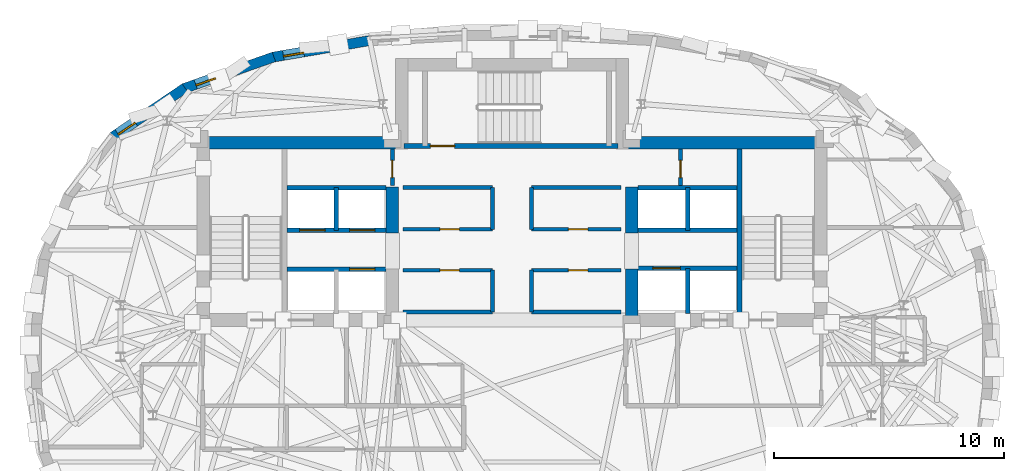
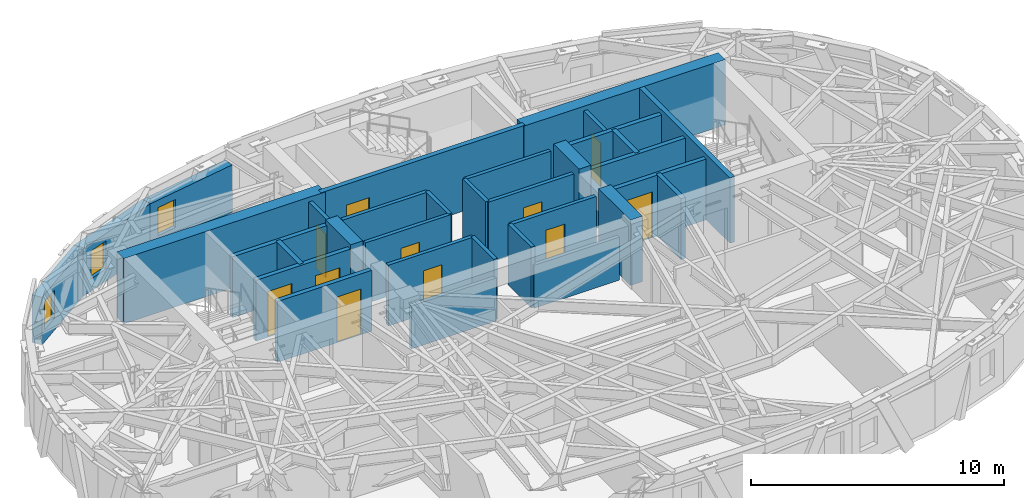
# One storey, part 7 of 12: 33 walls, 11 doors, 3 windows, 14 openings.
"""IFC4 building model written with IfcOpenShell, lengths in metres."""

import ifcopenshell
import ifcopenshell.guid

model = None  # the IFC model being written
_history = None  # IfcOwnerHistory: only IFC2X3 demands one
_inside = {}  # id of a spatial element -> (the spatial element, [elements in it])
_under = {}  # id of a project, library or spatial element -> (it, [spatial elements below it])
_declared = {}  # id of a project -> (the project, [libraries it declares])
_typed = {}  # id of a type object -> (the type object, [elements of that type])
_made_of = {}  # id of a material, layer set ... -> (it, [elements and type objects made of it])


def new_model(schema):
    """Start an empty IFC model of exactly this schema.

    Asked for "IFC4X3", IfcOpenShell would pick the latest addendum, in which some entities
    have other attributes; the version numbers below select the first issue.
    IFC2X3 requires an IfcOwnerHistory on every rooted entity: one is made here for all.
    """
    global model, _history
    if schema == "IFC4X3":
        model = ifcopenshell.file(schema_version=(4, 3, 0, 0))
    else:
        model = ifcopenshell.file(schema=schema)
    _inside.clear()
    _under.clear()
    _declared.clear()
    _typed.clear()
    _made_of.clear()
    _history = None
    if model.schema == "IFC2X3":
        org = make("IfcOrganization", Name="unknown")
        user = make(
            "IfcPersonAndOrganization",
            ThePerson=make("IfcPerson", FamilyName="unknown"),
            TheOrganization=org,
        )
        app = make(
            "IfcApplication",
            ApplicationDeveloper=org,
            Version="unknown",
            ApplicationFullName="unknown",
            ApplicationIdentifier="unknown",
        )
        _history = make(
            "IfcOwnerHistory",
            OwningUser=user,
            OwningApplication=app,
            ChangeAction="ADDED",
            CreationDate=0,
        )
    return model


def make(cls, **values):
    """One entity of the class cls with the attributes given. An attribute that is None is left unset."""
    return model.create_entity(
        cls, **{name: value for name, value in values.items() if value is not None}
    )


def rooted(cls, **values):
    """An entity with a GlobalId (a new one), such as an element, a storey or a relation."""
    return make(cls, GlobalId=ifcopenshell.guid.new(), OwnerHistory=_history, **values)


def si_unit(unit_type, name, prefix=None):
    """IfcSIUnit, for example si_unit("LENGTHUNIT", "METRE", prefix="MILLI")."""
    return make("IfcSIUnit", UnitType=unit_type, Prefix=prefix, Name=name)


def assignment(units):
    """IfcUnitAssignment: the units of a project."""
    return None if units is None else make("IfcUnitAssignment", Units=units)


def point(xyz):
    """IfcCartesianPoint."""
    return None if xyz is None else make("IfcCartesianPoint", Coordinates=xyz)


def direction(xyz):
    """IfcDirection."""
    return None if xyz is None else make("IfcDirection", DirectionRatios=xyz)


def frame(location, z_axis=None, x_axis=None):
    """IfcAxis2Placement3D, a coordinate frame: its origin and axes. An axis left out is left unset."""
    return make(
        "IfcAxis2Placement3D",
        Location=point(location),
        Axis=direction(z_axis),
        RefDirection=direction(x_axis),
    )


def frame_2d(location, x_axis=None):
    """IfcAxis2Placement2D, a coordinate frame in the plane: its origin and x axis."""
    return make(
        "IfcAxis2Placement2D", Location=point(location), RefDirection=direction(x_axis)
    )


def origin():
    """The frame at (0, 0, 0) with its axes left unset."""
    return frame((0.0, 0.0, 0.0))


def place(relative_to, where):
    """IfcLocalPlacement: puts the frame where relative to a parent placement (None: the world)."""
    return make(
        "IfcLocalPlacement", PlacementRelTo=relative_to, RelativePlacement=where
    )


def context(
    kind, dimensions, precision=None, world=None, true_north=None, identifier=None
):
    """IfcGeometricRepresentationContext, for example the 3D "Model" context."""
    return make(
        "IfcGeometricRepresentationContext",
        ContextIdentifier=identifier,
        ContextType=kind,
        CoordinateSpaceDimension=dimensions,
        Precision=precision,
        WorldCoordinateSystem=world,
        TrueNorth=true_north,
    )


def subcontext(parent, identifier, kind, view, scale=None):
    """IfcGeometricRepresentationSubContext, for example "Body" below "Model"."""
    return make(
        "IfcGeometricRepresentationSubContext",
        ContextIdentifier=identifier,
        ContextType=kind,
        ParentContext=parent,
        TargetScale=scale,
        TargetView=view,
    )


def project(units=None, contexts=None):
    """IfcProject with its units and contexts."""
    return rooted(
        "IfcProject",
        Name="project",
        RepresentationContexts=contexts,
        UnitsInContext=assignment(units),
    )


def spatial(cls, under=None, at=None, **own):
    """A site, building, storey or space (cls), placed at a placement, below another one or the project."""
    s = rooted(cls, ObjectPlacement=at, **own)
    if under is not None:
        _under.setdefault(under.id(), (under, []))[1].append(s)
    return s


def profile(cls, at=None, kind="AREA", **sizes):
    """A parametric profile (cls). Its sizes go by their IFC names, for example OverallWidth=200.0."""
    return make(cls, ProfileType=kind, Position=at, **sizes)


def rectangle(**sizes):
    """IfcRectangleProfileDef."""
    return profile("IfcRectangleProfileDef", **sizes)


def extrude(swept, where, along, depth):
    """IfcExtrudedAreaSolid: the profile swept, set in the frame where, extruded along a direction by depth."""
    return make(
        "IfcExtrudedAreaSolid",
        SweptArea=swept,
        Position=where,
        ExtrudedDirection=direction(along),
        Depth=depth,
    )


def shape(context_of_items, identifier, shape_type, items):
    """IfcShapeRepresentation: the items that make up one representation, for example the "Body"."""
    return make(
        "IfcShapeRepresentation",
        ContextOfItems=context_of_items,
        RepresentationIdentifier=identifier,
        RepresentationType=shape_type,
        Items=items,
    )


def material(Name=None, Category=None):
    """IfcMaterial."""
    return make("IfcMaterial", Name=Name, Category=Category)


def layer(
    of_material, thickness, ventilated=None, Name=None, Category=None, Priority=None
):
    """IfcMaterialLayer: one layer of a wall or slab, of a material (None: an air gap)."""
    return make(
        "IfcMaterialLayer",
        Material=of_material,
        LayerThickness=thickness,
        IsVentilated=ventilated,
        Name=Name,
        Category=Category,
        Priority=Priority,
    )


def layer_set(layers, Name=None):
    """IfcMaterialLayerSet."""
    return make("IfcMaterialLayerSet", MaterialLayers=layers, LayerSetName=Name)


def made_of(thing, what):
    """Note that an element or type object is made of a material, layer set ...; save() writes the relation."""
    if what is not None:
        _made_of.setdefault(what.id(), (what, []))[1].append(thing)
    return thing


def type_object(cls, material=None, **own):
    """A type object (cls), such as IfcWallType, which elements share."""
    return made_of(rooted(cls, **own), material)


def element(
    cls,
    number,
    at=None,
    inside=None,
    cuts=None,
    type_object=None,
    material=None,
    context=None,
    identifier="Body",
    shape_type=None,
    held_by="IfcProductDefinitionShape",
    body=None,
    shapes=None,
    **own,
):
    """One element of the class cls, such as IfcWall. Its Tag is "e" and its number.

    at: its placement. inside: the storey or other place that contains it. cuts: it is an
    opening in that element (IfcRelVoidsElement). A single representation is given by context,
    identifier, shape_type and body (its items); several are given by shapes. held_by: the class
    of the entity that holds the representations. save() writes the other relations.
    """
    e = rooted(cls, Tag="e%d" % number, ObjectPlacement=at, **own)
    if body is not None:
        shapes = [shape(context, identifier, shape_type, body)]
    if shapes is not None:
        e.Representation = make(held_by, Representations=shapes)
    if inside is not None:
        _inside.setdefault(inside.id(), (inside, []))[1].append(e)
    if cuts is not None:
        rooted(
            "IfcRelVoidsElement", RelatingBuildingElement=cuts, RelatedOpeningElement=e
        )
    if type_object is not None:
        _typed.setdefault(type_object.id(), (type_object, []))[1].append(e)
    return made_of(e, material)


def fill(opening, filler):
    """IfcRelFillsElement: the door or window that sits in an opening."""
    return rooted(
        "IfcRelFillsElement",
        RelatingOpeningElement=opening,
        RelatedBuildingElement=filler,
    )


def aggregate(whole, parts):
    """IfcRelAggregates: a whole, such as a stair, and the parts it consists of."""
    return rooted("IfcRelAggregates", RelatingObject=whole, RelatedObjects=parts)


def save(model, path):
    """Write the relations noted so far, then the file.

    IfcRelAggregates (storeys below a building ...), IfcRelContainedInSpatialStructure (elements
    in a storey), IfcRelDefinesByType, IfcRelAssociatesMaterial and IfcRelDeclares: one each for
    every whole, place, type object, material and project.
    """
    for whole, parts in _under.values():
        aggregate(whole, parts)
    for where, things in _inside.values():
        rooted(
            "IfcRelContainedInSpatialStructure",
            RelatedElements=things,
            RelatingStructure=where,
        )
    for kind, things in _typed.values():
        rooted("IfcRelDefinesByType", RelatedObjects=things, RelatingType=kind)
    for what, things in _made_of.values():
        rooted("IfcRelAssociatesMaterial", RelatedObjects=things, RelatingMaterial=what)
    for by, libraries in _declared.values():
        rooted("IfcRelDeclares", RelatingContext=by, RelatedDefinitions=libraries)
    model.write(path)


model = new_model("IFC4")

# Units and contexts
model_context = context("Model", 3, precision=1e-05, world=origin(), true_north=direction((0.0, 1.0)))
body_context = subcontext(model_context, "Body", "Model", "MODEL_VIEW")
ifc_project = project(units=[si_unit("LENGTHUNIT", "METRE"), si_unit("AREAUNIT", "SQUARE_METRE"), si_unit("VOLUMEUNIT", "CUBIC_METRE"), si_unit("PLANEANGLEUNIT", "RADIAN"), si_unit("MASSUNIT", "GRAM", prefix="KILO")], contexts=[model_context])

# Site, building, storey
site_placement = place(None, origin())
site = spatial("IfcSite", under=ifc_project, at=site_placement, CompositionType="ELEMENT")
building_placement = place(site_placement, origin())
building = spatial("IfcBuilding", under=site, at=building_placement, Name="Keldmark Tower", CompositionType="ELEMENT")
storey_placement = place(building_placement, frame((0.0, 0.0, 257.25)))
storey = spatial("IfcBuildingStorey", under=building, at=storey_placement, Name="L73", CompositionType="ELEMENT", Elevation=257.25)

# Walls
ifc_material_1 = material(Name="Concrete C50/60", Category="concrete")
ifc_layer_1 = layer(ifc_material_1, 0.550048828125)
ifc_layer_set_1 = layer_set([ifc_layer_1], Name="Concrete C50/60")
wall_type_1 = type_object("IfcWallType", Name="High-Rise Core Shear Wall 550 mm", PredefinedType="SHEAR", material=ifc_layer_set_1)
wall_1_placement = place(storey_placement, frame((-13.699951171875, 9.27490234375, 0.0), z_axis=(0.0, 0.0, 1.0), x_axis=(1.0, 0.0, 0.0)))
element("IfcWall", 1, at=wall_1_placement, inside=storey, type_object=wall_type_1, Name="L73 West Core North Shear Wall", PredefinedType="SHEAR", context=body_context, shape_type="SweptSolid", body=[
    extrude(rectangle(XDim=9.175048828125, YDim=0.550048828125, at=frame_2d((4.58740234375, 0.0))), origin(), (0.0, 0.0, 1.0), 3.14990234375),
])
wall_2_placement = place(storey_placement, frame((-5.199951171875, 5.35009765625, 0.0), z_axis=(0.0, 0.0, 1.0), x_axis=(0.0, 1.0, 0.0)))
element("IfcWall", 2, at=wall_2_placement, inside=storey, type_object=wall_type_1, Name="L73 West Core Inner Shear Pier North", PredefinedType="SHEAR", context=body_context, shape_type="SweptSolid", body=[
    extrude(rectangle(XDim=2.0, YDim=0.550048828125, at=frame_2d((1.0, 0.0))), origin(), (0.0, 0.0, 1.0), 3.14990234375),
])
wall_3_placement = place(storey_placement, frame((4.52490234375, 9.27490234375, 0.0), z_axis=(0.0, 0.0, 1.0), x_axis=(1.0, 0.0, 0.0)))
element("IfcWall", 3, at=wall_3_placement, inside=storey, type_object=wall_type_1, Name="L73 East Core North Shear Wall", PredefinedType="SHEAR", context=body_context, shape_type="SweptSolid", body=[
    extrude(rectangle(XDim=9.175048828125, YDim=0.550048828125, at=frame_2d((4.58740234375, 0.0))), origin(), (0.0, 0.0, 1.0), 3.14990234375),
])
wall_4_placement = place(storey_placement, frame((5.199951171875, 1.300048828125, 0.0), z_axis=(0.0, 0.0, 1.0), x_axis=(0.0, 1.0, 0.0)))
element("IfcWall", 4, at=wall_4_placement, inside=storey, type_object=wall_type_1, Name="L73 East Core Inner Shear Pier South", PredefinedType="SHEAR", context=body_context, shape_type="SweptSolid", body=[
    extrude(rectangle(XDim=2.5, YDim=0.550048828125, at=frame_2d((1.25, 0.0))), origin(), (0.0, 0.0, 1.0), 3.14990234375),
])
wall_5_placement = place(storey_placement, frame((5.199951171875, 5.35009765625, 0.0), z_axis=(0.0, 0.0, 1.0), x_axis=(0.0, 1.0, 0.0)))
element("IfcWall", 5, at=wall_5_placement, inside=storey, type_object=wall_type_1, Name="L73 East Core Inner Shear Pier North", PredefinedType="SHEAR", context=body_context, shape_type="SweptSolid", body=[
    extrude(rectangle(XDim=2.0, YDim=0.550048828125, at=frame_2d((1.0, 0.0))), origin(), (0.0, 0.0, 1.0), 3.14990234375),
])
ifc_material_2 = material(Name="Type X Fire-Rated Gypsum Partition Assembly", Category="gypsum")
ifc_layer_2 = layer(ifc_material_2, 0.1650390625)
ifc_layer_set_2 = layer_set([ifc_layer_2], Name="Type X Fire-Rated Gypsum Partition Assembly")
wall_type_2 = type_object("IfcWallType", Name="Rated Partition 165 mm", PredefinedType="PARTITIONING", material=ifc_layer_set_2)
wall_6_placement = place(storey_placement, frame((-4.739990234375, 1.919921875, 0.0), z_axis=(0.0, 0.0, 1.0), x_axis=(1.0, 0.0, 0.0)))
element("IfcWall", 6, at=wall_6_placement, inside=storey, type_object=wall_type_2, Name="L73 Rated Partition 165 mm REC-LW-S", PredefinedType="PARTITIONING", context=body_context, shape_type="SweptSolid", body=[
    extrude(rectangle(XDim=3.889892578125, YDim=0.1650390625, at=frame_2d((1.94482421875, 0.0))), origin(), (0.0, 0.0, 1.0), 2.070068359375),
])

# Wall, opening, door
wall_7_placement = place(storey_placement, frame((-4.739990234375, 3.739990234375, 0.0), z_axis=(0.0, 0.0, 1.0), x_axis=(1.0, 0.0, 0.0)))
wall_7 = element("IfcWall", 7, at=wall_7_placement, inside=storey, type_object=wall_type_2, Name="L73 Rated Partition 165 mm REC-LW-N", PredefinedType="PARTITIONING", context=body_context, shape_type="SweptSolid", body=[
    extrude(rectangle(XDim=3.889892578125, YDim=0.1650390625, at=frame_2d((1.94482421875, 0.0))), origin(), (0.0, 0.0, 1.0), 2.929931640625),
])
opening_1_placement = place(wall_7_placement, frame((1.60009765625, 0.0, 0.0)))
opening_1 = element("IfcOpeningElement", 8, at=opening_1_placement, cuts=wall_7, Name="Opening D-SV085", PredefinedType="OPENING", context=body_context, shape_type="SweptSolid", body=[
    extrude(rectangle(XDim=0.85009765625, YDim=2.10009765625, at=frame_2d((0.425048828125, 1.050048828125))), frame((0.0, 0.092529296875, 0.0), z_axis=(0.0, -1.0, 0.0), x_axis=(1.0, 0.0, 0.0)), (0.0, 0.0, 1.0), 0.18505859375),
])
ifc_material_3 = material(Name="Painted Hollow Metal Door Assembly", Category="metal")
door_type_1 = type_object("IfcDoorType", Name="Service Door 850x2100", OperationType="NOTDEFINED", PredefinedType="DOOR", material=ifc_material_3)
door_1_placement = place(opening_1_placement, origin())
door_1 = element("IfcDoor", 9, at=door_1_placement, inside=storey, type_object=door_type_1, Name="L73 Service Door 850x2100 D-RECLW1-L73", OperationType="SINGLE_SWING_LEFT", OverallHeight=2.10009765625, OverallWidth=0.85009765625, PredefinedType="DOOR", context=body_context, shape_type="SweptSolid", body=[
    extrude(rectangle(XDim=0.85009765625, YDim=2.10009765625, at=frame_2d((0.425048828125, 1.050048828125))), frame((0.0, 0.02490234375, 0.0), z_axis=(0.0, -1.0, 0.0), x_axis=(1.0, 0.0, 0.0)), (0.0, 0.0, 1.0), 0.050048828125),
])
fill(opening_1, door_1)

# Walls
wall_8_placement = place(storey_placement, frame((-0.85009765625, 1.919921875, 0.0), z_axis=(0.0, 0.0, 1.0), x_axis=(0.0, 1.0, 0.0)))
element("IfcWall", 10, at=wall_8_placement, inside=storey, type_object=wall_type_2, Name="L73 Rated Partition 165 mm REC-LW-E", PredefinedType="PARTITIONING", context=body_context, shape_type="SweptSolid", body=[
    extrude(rectangle(XDim=1.820068359375, YDim=0.1650390625, at=frame_2d((0.91015625, 0.0))), origin(), (0.0, 0.0, 1.0), 2.929931640625),
])
wall_9_placement = place(storey_placement, frame((0.85009765625, 1.919921875, 0.0), z_axis=(0.0, 0.0, 1.0), x_axis=(1.0, 0.0, 0.0)))
element("IfcWall", 11, at=wall_9_placement, inside=storey, type_object=wall_type_2, Name="L73 Rated Partition 165 mm REC-LE-S", PredefinedType="PARTITIONING", context=body_context, shape_type="SweptSolid", body=[
    extrude(rectangle(XDim=3.889892578125, YDim=0.1650390625, at=frame_2d((1.94482421875, 0.0))), origin(), (0.0, 0.0, 1.0), 2.070068359375),
])

# Wall, opening, door
wall_10_placement = place(storey_placement, frame((0.85009765625, 3.739990234375, 0.0), z_axis=(0.0, 0.0, 1.0), x_axis=(1.0, 0.0, 0.0)))
wall_10 = element("IfcWall", 12, at=wall_10_placement, inside=storey, type_object=wall_type_2, Name="L73 Rated Partition 165 mm REC-LE-N", PredefinedType="PARTITIONING", context=body_context, shape_type="SweptSolid", body=[
    extrude(rectangle(XDim=3.889892578125, YDim=0.1650390625, at=frame_2d((1.94482421875, 0.0))), origin(), (0.0, 0.0, 1.0), 2.929931640625),
])
opening_2_placement = place(wall_10_placement, frame((1.60009765625, 0.0, 0.0)))
opening_2 = element("IfcOpeningElement", 13, at=opening_2_placement, cuts=wall_10, Name="Opening D-SV085", PredefinedType="OPENING", context=body_context, shape_type="SweptSolid", body=[
    extrude(rectangle(XDim=0.85009765625, YDim=2.10009765625, at=frame_2d((0.425048828125, 1.050048828125))), frame((0.0, 0.092529296875, 0.0), z_axis=(0.0, -1.0, 0.0), x_axis=(1.0, 0.0, 0.0)), (0.0, 0.0, 1.0), 0.18505859375),
])
door_2_placement = place(opening_2_placement, origin())
door_2 = element("IfcDoor", 14, at=door_2_placement, inside=storey, type_object=door_type_1, Name="L73 Service Door 850x2100 D-RECLE1-L73", OperationType="SINGLE_SWING_RIGHT", OverallHeight=2.10009765625, OverallWidth=0.85009765625, PredefinedType="DOOR", context=body_context, shape_type="SweptSolid", body=[
    extrude(rectangle(XDim=0.85009765625, YDim=2.10009765625, at=frame_2d((0.425048828125, 1.050048828125))), frame((0.0, 0.02490234375, 0.0), z_axis=(0.0, -1.0, 0.0), x_axis=(1.0, 0.0, 0.0)), (0.0, 0.0, 1.0), 0.050048828125),
])
fill(opening_2, door_2)

# Wall
wall_11_placement = place(storey_placement, frame((0.85009765625, 1.919921875, 0.0), z_axis=(0.0, 0.0, 1.0), x_axis=(0.0, 1.0, 0.0)))
element("IfcWall", 15, at=wall_11_placement, inside=storey, type_object=wall_type_2, Name="L73 Rated Partition 165 mm REC-LE-W", PredefinedType="PARTITIONING", context=body_context, shape_type="SweptSolid", body=[
    extrude(rectangle(XDim=1.820068359375, YDim=0.1650390625, at=frame_2d((0.91015625, 0.0))), origin(), (0.0, 0.0, 1.0), 2.929931640625),
])

# Wall, opening, door
wall_12_placement = place(storey_placement, frame((-4.739990234375, 5.52001953125, 0.0), z_axis=(0.0, 0.0, 1.0), x_axis=(1.0, 0.0, 0.0)))
wall_12 = element("IfcWall", 16, at=wall_12_placement, inside=storey, type_object=wall_type_2, Name="L73 Rated Partition 165 mm REC-MW-S", PredefinedType="PARTITIONING", context=body_context, shape_type="SweptSolid", body=[
    extrude(rectangle(XDim=3.889892578125, YDim=0.1650390625, at=frame_2d((1.94482421875, 0.0))), origin(), (0.0, 0.0, 1.0), 2.929931640625),
])
opening_3_placement = place(wall_12_placement, frame((1.60009765625, 0.0, 0.0)))
opening_3 = element("IfcOpeningElement", 17, at=opening_3_placement, cuts=wall_12, Name="Opening D-SV085", PredefinedType="OPENING", context=body_context, shape_type="SweptSolid", body=[
    extrude(rectangle(XDim=0.85009765625, YDim=2.10009765625, at=frame_2d((0.425048828125, 1.050048828125))), frame((0.0, 0.092529296875, 0.0), z_axis=(0.0, -1.0, 0.0), x_axis=(1.0, 0.0, 0.0)), (0.0, 0.0, 1.0), 0.18505859375),
])
door_3_placement = place(opening_3_placement, origin())
door_3 = element("IfcDoor", 18, at=door_3_placement, inside=storey, type_object=door_type_1, Name="L73 Service Door 850x2100 D-RECMW1-L73", OperationType="SINGLE_SWING_LEFT", OverallHeight=2.10009765625, OverallWidth=0.85009765625, PredefinedType="DOOR", context=body_context, shape_type="SweptSolid", body=[
    extrude(rectangle(XDim=0.85009765625, YDim=2.10009765625, at=frame_2d((0.425048828125, 1.050048828125))), frame((0.0, 0.02490234375, 0.0), z_axis=(0.0, -1.0, 0.0), x_axis=(1.0, 0.0, 0.0)), (0.0, 0.0, 1.0), 0.050048828125),
])
fill(opening_3, door_3)

# Walls
wall_13_placement = place(storey_placement, frame((-4.739990234375, 7.330078125, 0.0), z_axis=(0.0, 0.0, 1.0), x_axis=(1.0, 0.0, 0.0)))
element("IfcWall", 19, at=wall_13_placement, inside=storey, type_object=wall_type_2, Name="L73 Rated Partition 165 mm REC-MW-N", PredefinedType="PARTITIONING", context=body_context, shape_type="SweptSolid", body=[
    extrude(rectangle(XDim=3.889892578125, YDim=0.1650390625, at=frame_2d((1.94482421875, 0.0))), origin(), (0.0, 0.0, 1.0), 2.929931640625),
])
wall_14_placement = place(storey_placement, frame((-0.85009765625, 5.52001953125, 0.0), z_axis=(0.0, 0.0, 1.0), x_axis=(0.0, 1.0, 0.0)))
element("IfcWall", 20, at=wall_14_placement, inside=storey, type_object=wall_type_2, Name="L73 Rated Partition 165 mm REC-MW-E", PredefinedType="PARTITIONING", context=body_context, shape_type="SweptSolid", body=[
    extrude(rectangle(XDim=1.81005859375, YDim=0.1650390625, at=frame_2d((0.905029296875, 0.0))), origin(), (0.0, 0.0, 1.0), 2.929931640625),
])

# Wall, opening, door
wall_15_placement = place(storey_placement, frame((0.85009765625, 5.52001953125, 0.0), z_axis=(0.0, 0.0, 1.0), x_axis=(1.0, 0.0, 0.0)))
wall_15 = element("IfcWall", 21, at=wall_15_placement, inside=storey, type_object=wall_type_2, Name="L73 Rated Partition 165 mm REC-ME-S", PredefinedType="PARTITIONING", context=body_context, shape_type="SweptSolid", body=[
    extrude(rectangle(XDim=3.889892578125, YDim=0.1650390625, at=frame_2d((1.94482421875, 0.0))), origin(), (0.0, 0.0, 1.0), 2.929931640625),
])
opening_4_placement = place(wall_15_placement, frame((1.60009765625, 0.0, 0.0)))
opening_4 = element("IfcOpeningElement", 22, at=opening_4_placement, cuts=wall_15, Name="Opening D-SV085", PredefinedType="OPENING", context=body_context, shape_type="SweptSolid", body=[
    extrude(rectangle(XDim=0.85009765625, YDim=2.10009765625, at=frame_2d((0.425048828125, 1.050048828125))), frame((0.0, 0.092529296875, 0.0), z_axis=(0.0, -1.0, 0.0), x_axis=(1.0, 0.0, 0.0)), (0.0, 0.0, 1.0), 0.18505859375),
])
door_4_placement = place(opening_4_placement, origin())
door_4 = element("IfcDoor", 23, at=door_4_placement, inside=storey, type_object=door_type_1, Name="L73 Service Door 850x2100 D-RECME1-L73", OperationType="SINGLE_SWING_RIGHT", OverallHeight=2.10009765625, OverallWidth=0.85009765625, PredefinedType="DOOR", context=body_context, shape_type="SweptSolid", body=[
    extrude(rectangle(XDim=0.85009765625, YDim=2.10009765625, at=frame_2d((0.425048828125, 1.050048828125))), frame((0.0, 0.02490234375, 0.0), z_axis=(0.0, -1.0, 0.0), x_axis=(1.0, 0.0, 0.0)), (0.0, 0.0, 1.0), 0.050048828125),
])
fill(opening_4, door_4)

# Walls
wall_16_placement = place(storey_placement, frame((0.85009765625, 7.330078125, 0.0), z_axis=(0.0, 0.0, 1.0), x_axis=(1.0, 0.0, 0.0)))
element("IfcWall", 24, at=wall_16_placement, inside=storey, type_object=wall_type_2, Name="L73 Rated Partition 165 mm REC-ME-N", PredefinedType="PARTITIONING", context=body_context, shape_type="SweptSolid", body=[
    extrude(rectangle(XDim=3.889892578125, YDim=0.1650390625, at=frame_2d((1.94482421875, 0.0))), origin(), (0.0, 0.0, 1.0), 2.929931640625),
])
wall_17_placement = place(storey_placement, frame((0.85009765625, 5.52001953125, 0.0), z_axis=(0.0, 0.0, 1.0), x_axis=(0.0, 1.0, 0.0)))
element("IfcWall", 25, at=wall_17_placement, inside=storey, type_object=wall_type_2, Name="L73 Rated Partition 165 mm REC-ME-W", PredefinedType="PARTITIONING", context=body_context, shape_type="SweptSolid", body=[
    extrude(rectangle(XDim=1.81005859375, YDim=0.1650390625, at=frame_2d((0.905029296875, 0.0))), origin(), (0.0, 0.0, 1.0), 2.929931640625),
])

# Wall, opening, door
wall_18_placement = place(storey_placement, frame((-5.199951171875, 7.419921875, 0.0), z_axis=(0.0, 0.0, 1.0), x_axis=(0.0, 1.0, 0.0)))
wall_18 = element("IfcWall", 26, at=wall_18_placement, inside=storey, type_object=wall_type_2, Name="L73 Rated Partition 165 mm CS-NW-E", PredefinedType="PARTITIONING", context=body_context, shape_type="SweptSolid", body=[
    extrude(rectangle(XDim=1.580078125, YDim=0.1650390625, at=frame_2d((0.7900390625, 0.0))), origin(), (0.0, 0.0, 1.0), 2.929931640625),
])
opening_5_placement = place(wall_18_placement, frame((0.35009765625, 0.0, 0.0)))
opening_5 = element("IfcOpeningElement", 27, at=opening_5_placement, cuts=wall_18, Name="Opening D-RS075", PredefinedType="OPENING", context=body_context, shape_type="SweptSolid", body=[
    extrude(rectangle(XDim=0.75, YDim=2.10009765625, at=frame_2d((0.375, 1.050048828125))), frame((0.0, 0.092529296875, 0.0), z_axis=(0.0, -1.0, 0.0), x_axis=(1.0, 0.0, 0.0)), (0.0, 0.0, 1.0), 0.18505859375),
])
ifc_material_4 = material(Name="Galvanized Fire-Rated Access Leaf", Category="metal")
door_type_2 = type_object("IfcDoorType", Name="Riser Access Door 750x2100", OperationType="NOTDEFINED", PredefinedType="DOOR", material=ifc_material_4)
door_5_placement = place(opening_5_placement, origin())
door_5 = element("IfcDoor", 28, at=door_5_placement, inside=storey, type_object=door_type_2, Name="L73 Riser Access Door 750x2100 D-CSNW1-L73", OperationType="SINGLE_SWING_LEFT", OverallHeight=2.10009765625, OverallWidth=0.75, PredefinedType="DOOR", context=body_context, shape_type="SweptSolid", body=[
    extrude(rectangle(XDim=0.75, YDim=2.10009765625, at=frame_2d((0.375, 1.050048828125))), frame((0.0, 0.02490234375, 0.0), z_axis=(0.0, -1.0, 0.0), x_axis=(1.0, 0.0, 0.0)), (0.0, 0.0, 1.0), 0.050048828125),
])
fill(opening_5, door_5)

wall_19_placement = place(storey_placement, frame((7.330078125, 7.419921875, 0.0), z_axis=(0.0, 0.0, 1.0), x_axis=(0.0, 1.0, 0.0)))
wall_19 = element("IfcWall", 29, at=wall_19_placement, inside=storey, type_object=wall_type_2, Name="L73 Rated Partition 165 mm CS-NE-W", PredefinedType="PARTITIONING", context=body_context, shape_type="SweptSolid", body=[
    extrude(rectangle(XDim=1.580078125, YDim=0.1650390625, at=frame_2d((0.7900390625, 0.0))), origin(), (0.0, 0.0, 1.0), 2.929931640625),
])
opening_6_placement = place(wall_19_placement, frame((0.35009765625, 0.0, 0.0)))
opening_6 = element("IfcOpeningElement", 30, at=opening_6_placement, cuts=wall_19, Name="Opening D-RS075", PredefinedType="OPENING", context=body_context, shape_type="SweptSolid", body=[
    extrude(rectangle(XDim=0.75, YDim=2.10009765625, at=frame_2d((0.375, 1.050048828125))), frame((0.0, 0.092529296875, 0.0), z_axis=(0.0, -1.0, 0.0), x_axis=(1.0, 0.0, 0.0)), (0.0, 0.0, 1.0), 0.18505859375),
])
door_6_placement = place(opening_6_placement, origin())
door_6 = element("IfcDoor", 31, at=door_6_placement, inside=storey, type_object=door_type_2, Name="L73 Riser Access Door 750x2100 D-CSNE1-L73", OperationType="SINGLE_SWING_RIGHT", OverallHeight=2.10009765625, OverallWidth=0.75, PredefinedType="DOOR", context=body_context, shape_type="SweptSolid", body=[
    extrude(rectangle(XDim=0.75, YDim=2.10009765625, at=frame_2d((0.375, 1.050048828125))), frame((0.0, 0.02490234375, 0.0), z_axis=(0.0, -1.0, 0.0), x_axis=(1.0, 0.0, 0.0)), (0.0, 0.0, 1.0), 0.050048828125),
])
fill(opening_6, door_6)

ifc_material_5 = material(Name="Fire-Resistant Type X Gypsum Shaftliner Coreboard", Category="gypsum")
ifc_layer_3 = layer(ifc_material_5, 0.199951171875)
ifc_layer_set_3 = layer_set([ifc_layer_3], Name="Fire-Resistant Type X Gypsum Shaftliner Coreboard")
wall_type_3 = type_object("IfcWallType", Name="Shaft Wall 200 mm", PredefinedType="SOLIDWALL", material=ifc_layer_set_3)
wall_20_placement = place(storey_placement, frame((-9.780029296875, 3.780029296875, 0.0), z_axis=(0.0, 0.0, 1.0), x_axis=(1.0, 0.0, 0.0)))
wall_20 = element("IfcWall", 32, at=wall_20_placement, inside=storey, type_object=wall_type_3, Name="L73 Shaft Wall 200 mm HW-W-S", PredefinedType="SOLIDWALL", context=body_context, shape_type="SweptSolid", body=[
    extrude(rectangle(XDim=4.304931640625, YDim=0.199951171875, at=frame_2d((2.15234375, 0.0))), origin(), (0.0, 0.0, 1.0), 2.929931640625),
])
opening_7_placement = place(wall_20_placement, frame((2.719970703125, 0.0, 0.0)))
opening_7 = element("IfcOpeningElement", 33, at=opening_7_placement, cuts=wall_20, Name="Opening LD-110", PredefinedType="OPENING", context=body_context, shape_type="SweptSolid", body=[
    extrude(rectangle(XDim=1.10009765625, YDim=2.199951171875, at=frame_2d((0.550048828125, 1.10009765625))), frame((0.0, 0.10986328125, 0.0), z_axis=(0.0, -1.0, 0.0), x_axis=(1.0, 0.0, 0.0)), (0.0, 0.0, 1.0), 0.219970703125),
])
ifc_material_6 = material(Name="Brushed Bronze Hoistway Sliding Leaf", Category="metal")
door_type_3 = type_object("IfcDoorType", Name="Lift Landing Sliding Door 1100x2200", OperationType="SLIDING_TO_LEFT", PredefinedType="DOOR", material=ifc_material_6)
door_7_placement = place(opening_7_placement, origin())
door_7 = element("IfcDoor", 34, at=door_7_placement, inside=storey, type_object=door_type_3, Name="L73 Lift Landing Sliding Door 1100x2200 LD-EL-H3-L73", OperationType="SLIDING_TO_LEFT", OverallHeight=2.199951171875, OverallWidth=1.10009765625, PredefinedType="DOOR", context=body_context, shape_type="SweptSolid", body=[
    extrude(rectangle(XDim=1.10009765625, YDim=2.199951171875, at=frame_2d((0.550048828125, 1.10009765625))), frame((0.0, 0.02490234375, 0.0), z_axis=(0.0, -1.0, 0.0), x_axis=(1.0, 0.0, 0.0)), (0.0, 0.0, 1.0), 0.050048828125),
])
fill(opening_7, door_7)

# Wall, openings, doors
wall_21_placement = place(storey_placement, frame((-9.780029296875, 5.469970703125, 0.0), z_axis=(0.0, 0.0, 1.0), x_axis=(1.0, 0.0, 0.0)))
wall_21 = element("IfcWall", 35, at=wall_21_placement, inside=storey, type_object=wall_type_3, Name="L73 Shaft Wall 200 mm HW-W-N", PredefinedType="SOLIDWALL", context=body_context, shape_type="SweptSolid", body=[
    extrude(rectangle(XDim=4.304931640625, YDim=0.199951171875, at=frame_2d((2.15234375, 0.0))), origin(), (0.0, 0.0, 1.0), 2.929931640625),
])
opening_8_placement = place(wall_21_placement, frame((0.550048828125, 0.0, 0.0)))
opening_8 = element("IfcOpeningElement", 36, at=opening_8_placement, cuts=wall_21, Name="Opening LD-110", PredefinedType="OPENING", context=body_context, shape_type="SweptSolid", body=[
    extrude(rectangle(XDim=1.10009765625, YDim=2.199951171875, at=frame_2d((0.550048828125, 1.10009765625))), frame((0.0, 0.10986328125, 0.0), z_axis=(0.0, -1.0, 0.0), x_axis=(1.0, 0.0, 0.0)), (0.0, 0.0, 1.0), 0.219970703125),
])
opening_9_placement = place(wall_21_placement, frame((2.719970703125, 0.0, 0.0)))
opening_9 = element("IfcOpeningElement", 37, at=opening_9_placement, cuts=wall_21, Name="Opening LD-110", PredefinedType="OPENING", context=body_context, shape_type="SweptSolid", body=[
    extrude(rectangle(XDim=1.10009765625, YDim=2.199951171875, at=frame_2d((0.550048828125, 1.10009765625))), frame((0.0, 0.10986328125, 0.0), z_axis=(0.0, -1.0, 0.0), x_axis=(1.0, 0.0, 0.0)), (0.0, 0.0, 1.0), 0.219970703125),
])
door_8_placement = place(opening_8_placement, origin())
door_8 = element("IfcDoor", 38, at=door_8_placement, inside=storey, type_object=door_type_3, Name="L73 Lift Landing Sliding Door 1100x2200 LD-EL-H1-L73", OperationType="SLIDING_TO_LEFT", OverallHeight=2.199951171875, OverallWidth=1.10009765625, PredefinedType="DOOR", context=body_context, shape_type="SweptSolid", body=[
    extrude(rectangle(XDim=1.10009765625, YDim=2.199951171875, at=frame_2d((0.550048828125, 1.10009765625))), frame((0.0, 0.02490234375, 0.0), z_axis=(0.0, -1.0, 0.0), x_axis=(1.0, 0.0, 0.0)), (0.0, 0.0, 1.0), 0.050048828125),
])
fill(opening_8, door_8)
door_9_placement = place(opening_9_placement, origin())
door_9 = element("IfcDoor", 39, at=door_9_placement, inside=storey, type_object=door_type_3, Name="L73 Lift Landing Sliding Door 1100x2200 LD-EL-H2-L73", OperationType="SLIDING_TO_LEFT", OverallHeight=2.199951171875, OverallWidth=1.10009765625, PredefinedType="DOOR", context=body_context, shape_type="SweptSolid", body=[
    extrude(rectangle(XDim=1.10009765625, YDim=2.199951171875, at=frame_2d((0.550048828125, 1.10009765625))), frame((0.0, 0.02490234375, 0.0), z_axis=(0.0, -1.0, 0.0), x_axis=(1.0, 0.0, 0.0)), (0.0, 0.0, 1.0), 0.050048828125),
])
fill(opening_9, door_9)

# Walls
wall_22_placement = place(storey_placement, frame((-9.780029296875, 7.330078125, 0.0), z_axis=(0.0, 0.0, 1.0), x_axis=(1.0, 0.0, 0.0)))
element("IfcWall", 40, at=wall_22_placement, inside=storey, type_object=wall_type_3, Name="L73 Shaft Wall 200 mm HW-W-TOP", PredefinedType="SOLIDWALL", context=body_context, shape_type="SweptSolid", body=[
    extrude(rectangle(XDim=4.304931640625, YDim=0.199951171875, at=frame_2d((2.15234375, 0.0))), origin(), (0.0, 0.0, 1.0), 2.929931640625),
])
wall_23_placement = place(storey_placement, frame((-7.64990234375, 5.469970703125, 0.0), z_axis=(0.0, 0.0, 1.0), x_axis=(0.0, 1.0, 0.0)))
element("IfcWall", 41, at=wall_23_placement, inside=storey, type_object=wall_type_3, Name="L73 Shaft Wall 200 mm HW-W-NM", PredefinedType="SOLIDWALL", context=body_context, shape_type="SweptSolid", body=[
    extrude(rectangle(XDim=1.860107421875, YDim=0.199951171875, at=frame_2d((0.93017578125, 0.0))), origin(), (0.0, 0.0, 1.0), 2.929931640625),
])

# Wall, opening, door
wall_24_placement = place(storey_placement, frame((5.47509765625, 3.820068359375, 0.0), z_axis=(0.0, 0.0, 1.0), x_axis=(1.0, 0.0, 0.0)))
wall_24 = element("IfcWall", 42, at=wall_24_placement, inside=storey, type_object=wall_type_3, Name="L73 Shaft Wall 200 mm HW-E-S", PredefinedType="SOLIDWALL", context=body_context, shape_type="SweptSolid", body=[
    extrude(rectangle(XDim=4.304931640625, YDim=0.199951171875, at=frame_2d((2.15234375, 0.0))), origin(), (0.0, 0.0, 1.0), 2.929931640625),
])
opening_10_placement = place(wall_24_placement, frame((0.64990234375, 0.0, 0.0)))
opening_10 = element("IfcOpeningElement", 43, at=opening_10_placement, cuts=wall_24, Name="Opening LD-120", PredefinedType="OPENING", context=body_context, shape_type="SweptSolid", body=[
    extrude(rectangle(XDim=1.199951171875, YDim=2.199951171875, at=frame_2d((0.60009765625, 1.10009765625))), frame((0.0, 0.10986328125, 0.0), z_axis=(0.0, -1.0, 0.0), x_axis=(1.0, 0.0, 0.0)), (0.0, 0.0, 1.0), 0.219970703125),
])
ifc_material_7 = material(Name="Heavy-Duty Brushed Metal Hoistway Sliding Leaf", Category="metal")
door_type_4 = type_object("IfcDoorType", Name="Service Lift Sliding Door 1200x2200", OperationType="SLIDING_TO_RIGHT", PredefinedType="DOOR", material=ifc_material_7)
door_10_placement = place(opening_10_placement, origin())
door_10 = element("IfcDoor", 44, at=door_10_placement, inside=storey, type_object=door_type_4, Name="L73 Service Lift Sliding Door 1200x2200 LD-EL-SV1-L73", OperationType="SLIDING_TO_RIGHT", OverallHeight=2.199951171875, OverallWidth=1.199951171875, PredefinedType="DOOR", context=body_context, shape_type="SweptSolid", body=[
    extrude(rectangle(XDim=1.199951171875, YDim=2.199951171875, at=frame_2d((0.60009765625, 1.10009765625))), frame((0.0, 0.02490234375, 0.0), z_axis=(0.0, -1.0, 0.0), x_axis=(1.0, 0.0, 0.0)), (0.0, 0.0, 1.0), 0.050048828125),
])
fill(opening_10, door_10)

# Walls
wall_25_placement = place(storey_placement, frame((7.64990234375, 1.85009765625, 0.0), z_axis=(0.0, 0.0, 1.0), x_axis=(0.0, 1.0, 0.0)))
element("IfcWall", 45, at=wall_25_placement, inside=storey, type_object=wall_type_3, Name="L73 Shaft Wall 200 mm HW-E-M", PredefinedType="SOLIDWALL", context=body_context, shape_type="SweptSolid", body=[
    extrude(rectangle(XDim=1.969970703125, YDim=0.199951171875, at=frame_2d((0.98486328125, 0.0))), origin(), (0.0, 0.0, 1.0), 2.929931640625),
])
for number, where, z_axis, x_axis, name in (
    (46, (5.47509765625, 5.469970703125, 0.0), (0.0, 0.0, 1.0), (1.0, 0.0, 0.0), "L73 Shaft Wall 200 mm HW-E-N"),
    (47, (5.47509765625, 7.330078125, 0.0), (0.0, 0.0, 1.0), (1.0, 0.0, 0.0), "L73 Shaft Wall 200 mm HW-E-TOP"),
):
    element("IfcWall", number, at=place(storey_placement, frame(where, z_axis=z_axis, x_axis=x_axis)), inside=storey, type_object=wall_type_3, Name=name, PredefinedType="SOLIDWALL", context=body_context, shape_type="SweptSolid", body=[
        extrude(rectangle(XDim=4.304931640625, YDim=0.199951171875, at=frame_2d((2.15234375, 0.0))), origin(), (0.0, 0.0, 1.0), 2.929931640625),
    ])
wall_26_placement = place(storey_placement, frame((7.64990234375, 5.469970703125, 0.0), z_axis=(0.0, 0.0, 1.0), x_axis=(0.0, 1.0, 0.0)))
element("IfcWall", 48, at=wall_26_placement, inside=storey, type_object=wall_type_3, Name="L73 Shaft Wall 200 mm HW-E-NM", PredefinedType="SOLIDWALL", context=body_context, shape_type="SweptSolid", body=[
    extrude(rectangle(XDim=1.860107421875, YDim=0.199951171875, at=frame_2d((0.93017578125, 0.0))), origin(), (0.0, 0.0, 1.0), 2.929931640625),
])
ifc_material_8 = material(Name="Concrete C50/60", Category="concrete")
ifc_layer_4 = layer(ifc_material_8, 0.219970703125)
ifc_layer_set_4 = layer_set([ifc_layer_4], Name="Concrete C50/60")
wall_type_4 = type_object("IfcWallType", Name="Stair Core Shear Wall 220 mm", PredefinedType="SHEAR", material=ifc_layer_set_4)
wall_27_placement = place(storey_placement, frame((9.889892578125, 1.85009765625, 0.0), z_axis=(0.0, 0.0, 1.0), x_axis=(0.0, 1.0, 0.0)))
element("IfcWall", 49, at=wall_27_placement, inside=storey, type_object=wall_type_4, Name="L73 East Stair Core Shear Wall", PredefinedType="SHEAR", context=body_context, shape_type="SweptSolid", body=[
    extrude(rectangle(XDim=7.14990234375, YDim=0.219970703125, at=frame_2d((3.574951171875, 0.0))), origin(), (0.0, 0.0, 1.0), 3.14990234375),
])

# Wall, opening, door
wall_28_placement = place(storey_placement, frame((-4.699951171875, 9.139892578125, 0.0), z_axis=(0.0, 0.0, 1.0), x_axis=(1.0, 0.0, 0.0)))
wall_28 = element("IfcWall", 50, at=wall_28_placement, inside=storey, type_object=wall_type_4, Name="L73 Central Stair Core South Shear Wall", PredefinedType="SHEAR", context=body_context, shape_type="SweptSolid", body=[
    extrude(rectangle(XDim=9.300048828125, YDim=0.219970703125, at=frame_2d((4.64990234375, 0.0))), origin(), (0.0, 0.0, 1.0), 3.14990234375),
])
opening_11_placement = place(wall_28_placement, frame((1.14990234375, 0.0, 0.0)))
opening_11 = element("IfcOpeningElement", 51, at=opening_11_placement, cuts=wall_28, Name="Opening D-ST105", PredefinedType="OPENING", context=body_context, shape_type="SweptSolid", body=[
    extrude(rectangle(XDim=1.050048828125, YDim=2.14990234375, at=frame_2d((0.52490234375, 1.074951171875))), frame((0.0, 0.119873046875, 0.0), z_axis=(0.0, -1.0, 0.0), x_axis=(1.0, 0.0, 0.0)), (0.0, 0.0, 1.0), 0.239990234375),
])
ifc_material_9 = material(Name="Hollow Metal Fire-Rated Door Assembly", Category="metal")
door_type_5 = type_object("IfcDoorType", Name="Stair Fire Door 1050x2150", OperationType="NOTDEFINED", PredefinedType="DOOR", material=ifc_material_9)
door_11_placement = place(opening_11_placement, origin())
door_11 = element("IfcDoor", 52, at=door_11_placement, inside=storey, type_object=door_type_5, Name="L73 Stair Fire Door 1050x2150 D-ST3-L73", OperationType="SINGLE_SWING_LEFT", OverallHeight=2.14990234375, OverallWidth=1.050048828125, PredefinedType="DOOR", context=body_context, shape_type="SweptSolid", body=[
    extrude(rectangle(XDim=1.050048828125, YDim=2.14990234375, at=frame_2d((0.52490234375, 1.074951171875))), frame((0.0, 0.02490234375, 0.0), z_axis=(0.0, -1.0, 0.0), x_axis=(1.0, 0.0, 0.0)), (0.0, 0.0, 1.0), 0.050048828125),
])
fill(opening_11, door_11)

# Wall, opening, window
ifc_material_10 = material(Name="Ironspot Manganese Brick and Kasota Buff Limestone Spandrel Assembly", Category="masonry")
ifc_layer_5 = layer(ifc_material_10, 0.43994140625)
ifc_layer_set_5 = layer_set([ifc_layer_5], Name="Ironspot Manganese Brick and Kasota Buff Limestone Spandrel Assembly")
wall_type_5 = type_object("IfcWallType", Name="Tower Brick Pier and Spandrel Wall 440 mm", PredefinedType="STANDARD", material=ifc_layer_set_5)
wall_29_placement = place(storey_placement, frame((-10.3876953125, 13.006103515625, 0.0), z_axis=(0.0, 0.0, 1.0), x_axis=(0.985667057966, 0.168702254995, 0.0)))
wall_29 = element("IfcWall", 53, at=wall_29_placement, inside=storey, type_object=wall_type_5, Name="L73 Exterior Brick and Spandrel Wall 10", PredefinedType="STANDARD", context=body_context, shape_type="SweptSolid", body=[
    extrude(rectangle(XDim=4.248779296875, YDim=0.43994140625, at=frame_2d((2.12451171875, 0.0))), origin(), (0.0, 0.0, 1.0), 2.2958984375),
])
opening_12_placement = place(wall_29_placement, frame((0.449951171875, 0.0, 0.580078125)))
opening_12 = element("IfcOpeningElement", 54, at=opening_12_placement, cuts=wall_29, Name="Opening W-09", PredefinedType="OPENING", context=body_context, shape_type="SweptSolid", body=[
    extrude(rectangle(XDim=0.89990234375, YDim=1.35009765625, at=frame_2d((0.449951171875, 0.675048828125))), frame((0.0, 0.22998046875, 0.0), z_axis=(0.0, -1.0, 0.0), x_axis=(1.0, 0.0, 0.0)), (0.0, 0.0, 1.0), 0.4599609375),
])
ifc_material_11 = material(Name="Thermally Broken Anodized Aluminum and Triple Low-E Argon Glazing", Category="aluminium")
window_type = type_object("IfcWindowType", Name="Corner Pier Deep-Set Window 900x1350", PartitioningType="SINGLE_PANEL", PredefinedType="WINDOW", material=ifc_material_11)
window_1_placement = place(opening_12_placement, origin())
window_1 = element("IfcWindow", 55, at=window_1_placement, inside=storey, type_object=window_type, Name="L73 Deep-Set Window 10", OverallHeight=1.35009765625, OverallWidth=0.89990234375, PartitioningType="SINGLE_PANEL", PredefinedType="WINDOW", context=body_context, shape_type="SweptSolid", body=[
    extrude(rectangle(XDim=0.89990234375, YDim=1.35009765625, at=frame_2d((0.449951171875, 0.675048828125))), frame((0.0, -0.010009765625, 0.0), z_axis=(0.0, -1.0, 0.0), x_axis=(1.0, 0.0, 0.0)), (0.0, 0.0, 1.0), 0.06005859375),
])
fill(opening_12, window_1)

wall_30_placement = place(storey_placement, frame((-14.268798828125, 11.640380859375, 0.0), z_axis=(0.0, 0.0, 1.0), x_axis=(0.943571934891, 0.331167636834, 0.0)))
wall_30 = element("IfcWall", 56, at=wall_30_placement, inside=storey, type_object=wall_type_5, Name="L73 Exterior Brick and Spandrel Wall 11", PredefinedType="STANDARD", context=body_context, shape_type="SweptSolid", body=[
    extrude(rectangle(XDim=4.151123046875, YDim=0.43994140625, at=frame_2d((2.07568359375, 0.0))), origin(), (0.0, 0.0, 1.0), 2.2958984375),
])
opening_13_placement = place(wall_30_placement, frame((0.544189453125, 0.0, 0.580078125)))
opening_13 = element("IfcOpeningElement", 57, at=opening_13_placement, cuts=wall_30, Name="Opening W-09", PredefinedType="OPENING", context=body_context, shape_type="SweptSolid", body=[
    extrude(rectangle(XDim=0.89990234375, YDim=1.35009765625, at=frame_2d((0.449951171875, 0.675048828125))), frame((0.0, 0.22998046875, 0.0), z_axis=(0.0, -1.0, 0.0), x_axis=(1.0, 0.0, 0.0)), (0.0, 0.0, 1.0), 0.4599609375),
])
window_2_placement = place(opening_13_placement, origin())
window_2 = element("IfcWindow", 58, at=window_2_placement, inside=storey, type_object=window_type, Name="L73 Deep-Set Window 11", OverallHeight=1.35009765625, OverallWidth=0.89990234375, PartitioningType="SINGLE_PANEL", PredefinedType="WINDOW", context=body_context, shape_type="SweptSolid", body=[
    extrude(rectangle(XDim=0.89990234375, YDim=1.35009765625, at=frame_2d((0.449951171875, 0.675048828125))), frame((0.0, -0.010009765625, 0.0), z_axis=(0.0, -1.0, 0.0), x_axis=(1.0, 0.0, 0.0)), (0.0, 0.0, 1.0), 0.06005859375),
])
fill(opening_13, window_2)

wall_31_placement = place(storey_placement, frame((-17.351806640625, 9.541259765625, 0.0), z_axis=(0.0, 0.0, 1.0), x_axis=(0.827669406477, 0.561215959842, 0.0)))
wall_31 = element("IfcWall", 59, at=wall_31_placement, inside=storey, type_object=wall_type_5, Name="L73 Exterior Brick and Spandrel Wall 12", PredefinedType="STANDARD", context=body_context, shape_type="SweptSolid", body=[
    extrude(rectangle(XDim=3.785888671875, YDim=0.43994140625, at=frame_2d((1.89306640625, 0.0))), origin(), (0.0, 0.0, 1.0), 2.2958984375),
])
opening_14_placement = place(wall_31_placement, frame((0.249755859375, 0.0, 0.580078125)))
opening_14 = element("IfcOpeningElement", 60, at=opening_14_placement, cuts=wall_31, Name="Opening W-09", PredefinedType="OPENING", context=body_context, shape_type="SweptSolid", body=[
    extrude(rectangle(XDim=0.89990234375, YDim=1.35009765625, at=frame_2d((0.449951171875, 0.675048828125))), frame((0.0, 0.22998046875, 0.0), z_axis=(0.0, -1.0, 0.0), x_axis=(1.0, 0.0, 0.0)), (0.0, 0.0, 1.0), 0.4599609375),
])
window_3_placement = place(opening_14_placement, origin())
window_3 = element("IfcWindow", 61, at=window_3_placement, inside=storey, type_object=window_type, Name="L73 Deep-Set Window 12", OverallHeight=1.35009765625, OverallWidth=0.89990234375, PartitioningType="SINGLE_PANEL", PredefinedType="WINDOW", context=body_context, shape_type="SweptSolid", body=[
    extrude(rectangle(XDim=0.89990234375, YDim=1.35009765625, at=frame_2d((0.449951171875, 0.675048828125))), frame((0.0, -0.010009765625, 0.0), z_axis=(0.0, -1.0, 0.0), x_axis=(1.0, 0.0, 0.0)), (0.0, 0.0, 1.0), 0.06005859375),
])
fill(opening_14, window_3)

save(model, "model.ifc")
